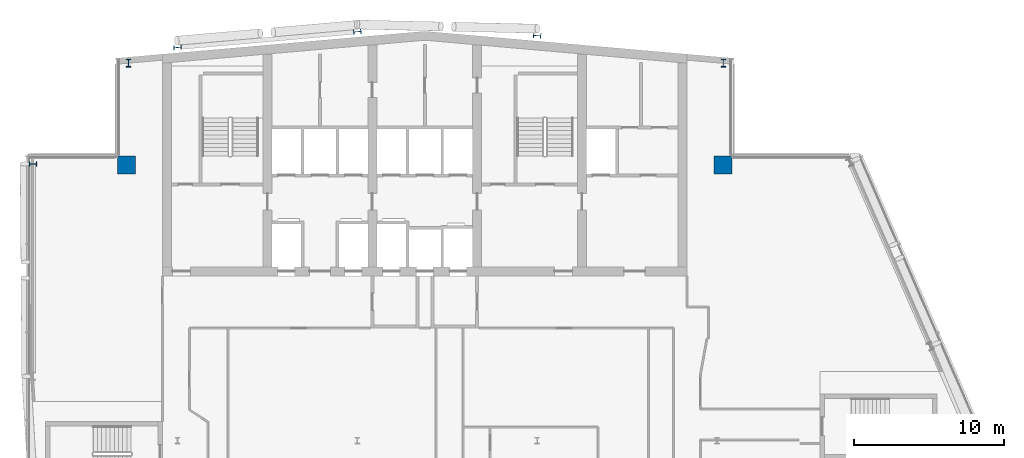
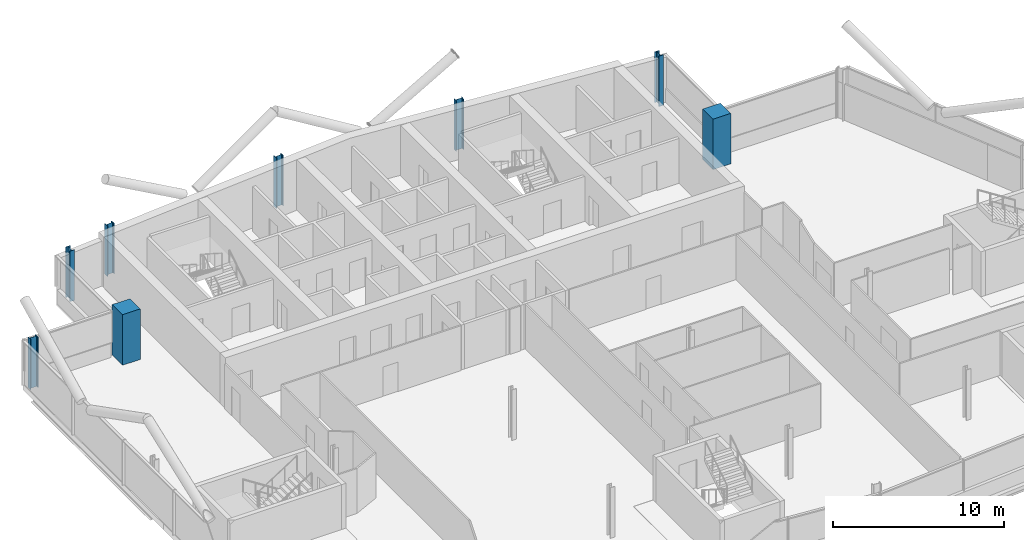
# One storey, part 3 of 26: 8 columns.
"""IFC4 building model written with IfcOpenShell, lengths in metres."""

from ifc_helpers import new_model, si_unit, direction, frame, origin, origin_2d, place, context, subcontext, project, spatial, rectangle, i_section, extrude, material, material_profile, profile_set, type_object, element, save


model = new_model("IFC4")

# Units and contexts
model_context = context("Model", 3, precision=1e-05, world=origin(), true_north=direction((0.0, 1.0)))
body_context = subcontext(model_context, "Body", "Model", "MODEL_VIEW")
ifc_project = project(units=[si_unit("LENGTHUNIT", "METRE"), si_unit("AREAUNIT", "SQUARE_METRE"), si_unit("VOLUMEUNIT", "CUBIC_METRE"), si_unit("PLANEANGLEUNIT", "RADIAN"), si_unit("MASSUNIT", "GRAM", prefix="KILO")], contexts=[model_context])

# Site, building, storey
site_placement = place(None, origin())
site = spatial("IfcSite", under=ifc_project, at=site_placement, CompositionType="ELEMENT")
building_placement = place(site_placement, origin())
building = spatial("IfcBuilding", under=site, at=building_placement, Name="Wharfspan Tower", CompositionType="ELEMENT")
storey_placement = place(building_placement, frame((0.0, 0.0, 235.899902)))
storey = spatial("IfcBuildingStorey", under=building, at=storey_placement, Name="L59", CompositionType="ELEMENT", Elevation=235.899902)

# Columns
ifc_material_1 = material(Name="Steel S355J2", Category="steel")
ifc_material_profile_1 = material_profile(ifc_material_1, i_section(OverallWidth=0.300049, OverallDepth=0.5, WebThickness=0.014404, FlangeThickness=0.028076, FilletRadius=0.0271, at=origin_2d()))
ifc_profile_set_1 = profile_set([ifc_material_profile_1], Name="Steel S355J2")
column_type_1 = type_object("IfcColumnType", Name="Column HEB 500", PredefinedType="COLUMN", material=ifc_profile_set_1)
for number, where, z_axis, x_axis, name in (
    (1, (24.0, 49.234863, 0.0), (0.0, 0.0, 1.0), (-0.087156, 0.996197, 0.0), "Rear column R.1 L59"),
    (2, (36.0, 50.284668, 0.0), (0.0, 0.0, 1.0), (-0.087156, 0.996197, 0.0), "Rear column R.2 L59"),
    (3, (48.0, 50.022217, 0.0), (0.0, 0.0, 1.0), (0.087156, 0.996197, 0.0), "Rear column R.3 L59"),
):
    element("IfcColumn", number, at=place(storey_placement, frame(where, z_axis=z_axis, x_axis=x_axis)), inside=storey, type_object=column_type_1, Name=name, PredefinedType="COLUMN", context=body_context, shape_type="SweptSolid", body=[
        extrude(i_section(OverallWidth=0.300049, OverallDepth=0.5, WebThickness=0.014404, FlangeThickness=0.028076, FilletRadius=0.0271, at=origin_2d()), origin(), (0.0, 0.0, 1.0), 3.600098),
    ])
ifc_material_profile_2 = material_profile(ifc_material_1, i_section(OverallWidth=0.305908, OverallDepth=0.523926, WebThickness=0.020996, FlangeThickness=0.040039, FilletRadius=0.0271, at=origin_2d()))
ifc_profile_set_2 = profile_set([ifc_material_profile_2], Name="Steel S355J2")
column_type_2 = type_object("IfcColumnType", Name="Column HEM 500", PredefinedType="COLUMN", material=ifc_profile_set_2)
for number, where, z_axis, x_axis, name in (
    (4, (60.422119, 48.189453, 0.0), (0.0, 0.0, 1.0), (1.0, 0.0, 0.0), "Perimeter column PNRE-V.1 L59"),
    (5, (20.731201, 48.189941, 0.0), (0.0, 0.0, 1.0), (-1.0, 0.0, 0.0), "Perimeter column PNRW-V.1 L59"),
    (6, (14.356934, 41.459717, 0.0), (0.0, 0.0, 1.0), (0.0, 1.0, 0.0), "Perimeter column PNRW-H.1 L59"),
):
    element("IfcColumn", number, at=place(storey_placement, frame(where, z_axis=z_axis, x_axis=x_axis)), inside=storey, type_object=column_type_2, Name=name, PredefinedType="COLUMN", context=body_context, shape_type="SweptSolid", body=[
        extrude(i_section(OverallWidth=0.305908, OverallDepth=0.523926, WebThickness=0.020996, FlangeThickness=0.040039, FilletRadius=0.0271, at=origin_2d()), origin(), (0.0, 0.0, 1.0), 3.600098),
    ])
ifc_material_2 = material(Name="Concrete C50/60", Category="concrete")
ifc_material_profile_3 = material_profile(ifc_material_2, rectangle(XDim=1.199951, YDim=1.199951, at=origin_2d()))
ifc_profile_set_3 = profile_set([ifc_material_profile_3], Name="Concrete C50/60")
column_type_3 = type_object("IfcColumnType", Name="Mega column 1200 C50/60", PredefinedType="COLUMN", material=ifc_profile_set_3)
for number, where, z_axis, x_axis, name in (
    (7, (20.600098, 41.399902, 0.0), (0.0, 0.0, 1.0), (1.0, 0.0, 0.0), "Mega column MC2 L59"),
    (8, (60.399902, 41.399902, 0.0), (0.0, 0.0, 1.0), (1.0, 0.0, 0.0), "Mega column MC3 L59"),
):
    element("IfcColumn", number, at=place(storey_placement, frame(where, z_axis=z_axis, x_axis=x_axis)), inside=storey, type_object=column_type_3, Name=name, PredefinedType="COLUMN", context=body_context, shape_type="SweptSolid", body=[
        extrude(rectangle(XDim=1.199951, YDim=1.199951, at=origin_2d()), origin(), (0.0, 0.0, 1.0), 3.600098),
    ])

save(model, "model.ifc")
